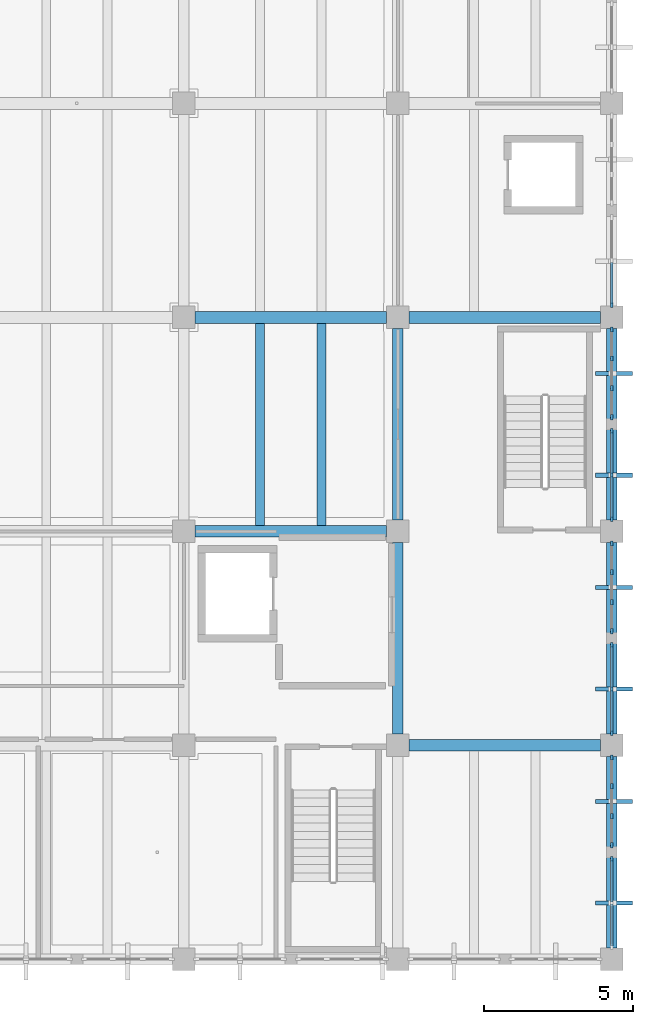
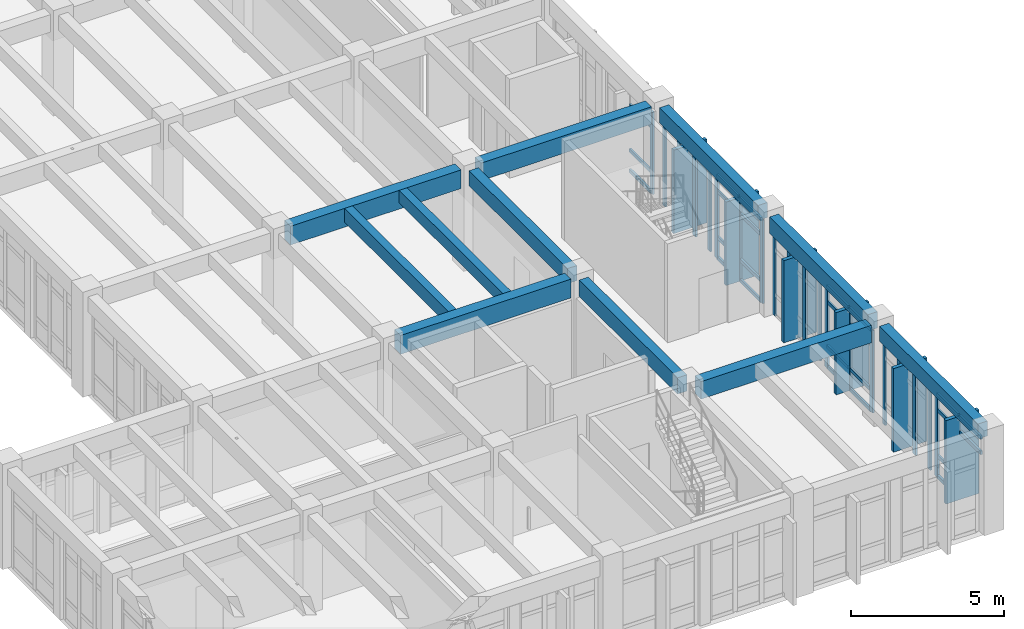
# One storey, part 56 of 136: 51 members, 11 beams, 7 elements without a shape of their own.
"""IFC4 building model written with IfcOpenShell, lengths in metres."""

from ifc_helpers import new_model, si_unit, direction, frame, origin, origin_2d, place, context, subcontext, project, spatial, rectangle, extrude, material, layer, layer_set, material_profile, profile_set, type_object, element, aggregate, save


model = new_model("IFC4")

# Units and contexts
model_context = context("Model", 3, precision=1e-05, world=origin(), true_north=direction((0.0, 1.0)))
body_context = subcontext(model_context, "Body", "Model", "MODEL_VIEW")
ifc_project = project(units=[si_unit("LENGTHUNIT", "METRE"), si_unit("AREAUNIT", "SQUARE_METRE"), si_unit("VOLUMEUNIT", "CUBIC_METRE"), si_unit("PLANEANGLEUNIT", "RADIAN"), si_unit("MASSUNIT", "GRAM", prefix="KILO")], contexts=[model_context])

# Site, building, storey
site_placement = place(None, origin())
site = spatial("IfcSite", under=ifc_project, at=site_placement, CompositionType="ELEMENT")
building_placement = place(site_placement, origin())
building = spatial("IfcBuilding", under=site, at=building_placement, Name="Koriwan Promenade Central Fire Station", CompositionType="ELEMENT")
storey_placement = place(building_placement, frame((0.0, 0.0, 5.39990234375)))
storey = spatial("IfcBuildingStorey", under=building, at=storey_placement, Name="L01", CompositionType="ELEMENT", Elevation=5.39990234375)

# Beams
ifc_material_1 = material(Name="Concrete C35/45", Category="concrete")
ifc_material_profile_1 = material_profile(ifc_material_1, rectangle(XDim=0.300048828125, YDim=0.5, at=origin_2d()), Name="RC-BM-300x500")
ifc_profile_set_1 = profile_set([ifc_material_profile_1], Name="Concrete C35/45")
beam_type_1 = type_object("IfcBeamType", Name="Beam_RC-BM-300x500", PredefinedType="JOIST", material=ifc_profile_set_1)
beam_1_placement = place(storey_placement, frame((163.031982421875, 14.60009765625, 3.7001953125), z_axis=(0.0, 1.0, 0.0), x_axis=(-1.0, 0.0, 0.0)))
element("IfcBeam", 1, at=beam_1_placement, inside=storey, type_object=beam_type_1, Name="V5 L01 secondary joist 713", PredefinedType="JOIST", context=body_context, shape_type="SweptSolid", body=[
    extrude(rectangle(XDim=0.300048828125, YDim=0.5, at=origin_2d()), origin(), (0.0, 0.0, 1.0), 6.7998046875),
])
ifc_material_profile_2 = material_profile(ifc_material_1, rectangle(XDim=0.300048828125, YDim=0.550048828125, at=origin_2d()), Name="RC-BM-300x550")
ifc_profile_set_2 = profile_set([ifc_material_profile_2], Name="Concrete C35/45")
beam_type_2 = type_object("IfcBeamType", Name="Beam_RC-BM-300x550", PredefinedType="JOIST", material=ifc_profile_set_2)
beam_2_placement = place(storey_placement, frame((160.968017578125, 14.60009765625, 3.675048828125), z_axis=(0.0, 1.0, 0.0), x_axis=(-1.0, 0.0, 0.0)))
element("IfcBeam", 2, at=beam_2_placement, inside=storey, type_object=beam_type_2, Name="V5 L01 secondary joist 712", PredefinedType="JOIST", context=body_context, shape_type="SweptSolid", body=[
    extrude(rectangle(XDim=0.300048828125, YDim=0.550048828125, at=origin_2d()), origin(), (0.0, 0.0, 1.0), 6.7998046875),
])
ifc_material_profile_3 = material_profile(ifc_material_1, rectangle(XDim=0.35009765625, YDim=0.60009765625, at=origin_2d()), Name="RC-BM-350x600")
ifc_profile_set_3 = profile_set([ifc_material_profile_3], Name="Concrete C35/45")
beam_type_3 = type_object("IfcBeamType", Name="Beam_RC-BM-350x600", PredefinedType="BEAM", material=ifc_profile_set_3)
beam_3_placement = place(storey_placement, frame((165.60009765625, 14.77490234375, 3.650146484375), z_axis=(0.0, 1.0, 0.0), x_axis=(-1.0, 0.0, 0.0)))
element("IfcBeam", 3, at=beam_3_placement, inside=storey, type_object=beam_type_3, Name="V5 L01 girder Y-682", PredefinedType="BEAM", context=body_context, shape_type="SweptSolid", body=[
    extrude(rectangle(XDim=0.35009765625, YDim=0.60009765625, at=origin_2d()), origin(), (0.0, 0.0, 1.0), 6.4501953125),
])
beam_4_placement = place(storey_placement, frame((172.800048828125, 0.375, 3.650146484375), z_axis=(0.0, 1.0, 0.0), x_axis=(-1.0, 0.0, 0.0)))
element("IfcBeam", 4, at=beam_4_placement, inside=storey, type_object=beam_type_3, Name="V5 L01 girder Y-690", PredefinedType="BEAM", context=body_context, shape_type="SweptSolid", body=[
    extrude(rectangle(XDim=0.35009765625, YDim=0.60009765625, at=origin_2d()), origin(), (0.0, 0.0, 1.0), 6.449951171875),
])
beam_5_placement = place(storey_placement, frame((172.800048828125, 14.77490234375, 3.650146484375), z_axis=(0.0, 1.0, 0.0), x_axis=(-1.0, 0.0, 0.0)))
element("IfcBeam", 5, at=beam_5_placement, inside=storey, type_object=beam_type_3, Name="V5 L01 girder Y-692", PredefinedType="BEAM", context=body_context, shape_type="SweptSolid", body=[
    extrude(rectangle(XDim=0.35009765625, YDim=0.60009765625, at=origin_2d()), origin(), (0.0, 0.0, 1.0), 6.4501953125),
])
ifc_material_profile_4 = material_profile(ifc_material_1, rectangle(XDim=0.35009765625, YDim=0.64990234375, at=origin_2d()), Name="RC-BM-350x650")
ifc_profile_set_4 = profile_set([ifc_material_profile_4], Name="Concrete C35/45")
beam_type_4 = type_object("IfcBeamType", Name="Beam_RC-BM-350x650", PredefinedType="BEAM", material=ifc_profile_set_4)
for number, where, z_axis, x_axis, name in (
    (6, (165.60009765625, 7.574951171875, 3.625), (0.0, 1.0, 0.0), (-1.0, 0.0, 0.0), "V5 L01 girder Y-681"),
    (7, (172.800048828125, 7.574951171875, 3.625), (0.0, 1.0, 0.0), (-1.0, 0.0, 0.0), "V5 L01 girder Y-691"),
):
    element("IfcBeam", number, at=place(storey_placement, frame(where, z_axis=z_axis, x_axis=x_axis)), inside=storey, type_object=beam_type_4, Name=name, PredefinedType="BEAM", context=body_context, shape_type="SweptSolid", body=[
        extrude(rectangle(XDim=0.35009765625, YDim=0.64990234375, at=origin_2d()), origin(), (0.0, 0.0, 1.0), 6.449951171875),
    ])
ifc_material_profile_5 = material_profile(ifc_material_1, rectangle(XDim=0.39990234375, YDim=0.699951171875, at=origin_2d()), Name="RC-BM-400x700")
ifc_profile_set_5 = profile_set([ifc_material_profile_5], Name="Concrete C35/45")
beam_type_5 = type_object("IfcBeamType", Name="Beam_RC-BM-400x700", PredefinedType="BEAM", material=ifc_profile_set_5)
for number, where, z_axis, x_axis, name in (
    (8, (165.97509765625, 7.199951171875, 3.60009765625), (1.0, 0.0, 0.0), (0.0, 1.0, 0.0), "V5 L01 girder X-630"),
    (9, (165.97509765625, 21.60009765625, 3.60009765625), (1.0, 0.0, 0.0), (0.0, 1.0, 0.0), "V5 L01 girder X-636"),
):
    element("IfcBeam", number, at=place(storey_placement, frame(where, z_axis=z_axis, x_axis=x_axis)), inside=storey, type_object=beam_type_5, Name=name, PredefinedType="BEAM", context=body_context, shape_type="SweptSolid", body=[
        extrude(rectangle(XDim=0.39990234375, YDim=0.699951171875, at=origin_2d()), origin(), (0.0, 0.0, 1.0), 6.449951171875),
    ])
ifc_material_profile_6 = material_profile(ifc_material_1, rectangle(XDim=0.39990234375, YDim=0.75, at=origin_2d()), Name="RC-BM-400x750")
ifc_profile_set_6 = profile_set([ifc_material_profile_6], Name="Concrete C35/45")
beam_type_6 = type_object("IfcBeamType", Name="Beam_RC-BM-400x750", PredefinedType="BEAM", material=ifc_profile_set_6)
for number, where, z_axis, x_axis, name in (
    (10, (158.77490234375, 14.39990234375, 3.5751953125), (1.0, 0.0, 0.0), (0.0, 1.0, 0.0), "V5 L01 girder X-633"),
    (11, (158.77490234375, 21.60009765625, 3.5751953125), (1.0, 0.0, 0.0), (0.0, 1.0, 0.0), "V5 L01 girder X-635"),
):
    element("IfcBeam", number, at=place(storey_placement, frame(where, z_axis=z_axis, x_axis=x_axis)), inside=storey, type_object=beam_type_6, Name=name, PredefinedType="BEAM", context=body_context, shape_type="SweptSolid", body=[
        extrude(rectangle(XDim=0.39990234375, YDim=0.75, at=origin_2d()), origin(), (0.0, 0.0, 1.0), 6.4501953125),
    ])

# Curtain wall, member
ifc_material_2 = material(Name="Aluminium EN AW-6063-T6 and low-E glazing", Category="aluminium")
ifc_layer_1 = layer(ifc_material_2, 0.159912109375, Name="Aluminium EN AW-6063-T6 and low-E glazing")
ifc_layer_set_1 = layer_set([ifc_layer_1], Name="Aluminium EN AW-6063-T6 and low-E glazing")
curtain_wall_type_1 = type_object("IfcCurtainWallType", Name="CurtainWall_07_302x329", PredefinedType="USERDEFINED", material=ifc_layer_set_1)
curtain_wall_1_placement = place(storey_placement, origin())
curtain_wall_1 = element("IfcCurtainWall", 12, at=curtain_wall_1_placement, inside=storey, type_object=curtain_wall_type_1, Name="V5 L01 unitised curtain wall 202", ObjectType="UNITISED CURTAIN WALL", PredefinedType="USERDEFINED")
ifc_material_3 = material(Name="Aluminium EN AW-6063-T6", Category="aluminium")
ifc_material_profile_7 = material_profile(ifc_material_3, rectangle(XDim=0.074951171875, YDim=0.179931640625, at=origin_2d()), Name="ALU-MUL-75x180")
ifc_profile_set_7 = profile_set([ifc_material_profile_7], Name="Aluminium EN AW-6063-T6")
member_type_1 = type_object("IfcMemberType", Name="CWMullion_ALU-MUL-75x180", PredefinedType="MULLION", material=ifc_profile_set_7)
member_1_placement = place(storey_placement, frame((172.800048828125, 22.012451171875, 0.0), z_axis=(0.0, 0.0, 1.0), x_axis=(1.0, 0.0, 0.0)))
member_1 = element("IfcMember", 13, at=member_1_placement, type_object=member_type_1, Name="CW-07 mullion 3", PredefinedType="MULLION", context=body_context, shape_type="SweptSolid", body=[
    extrude(rectangle(XDim=0.074951171875, YDim=0.179931640625, at=origin_2d()), origin(), (0.0, 0.0, 1.0), 3.2900390625),
])

# Curtain wall, members
ifc_layer_2 = layer(ifc_material_2, 0.159912109375, Name="Aluminium EN AW-6063-T6 and low-E glazing")
ifc_layer_set_2 = layer_set([ifc_layer_2], Name="Aluminium EN AW-6063-T6 and low-E glazing")
curtain_wall_type_2 = type_object("IfcCurtainWallType", Name="CurtainWall_67_303x334", PredefinedType="USERDEFINED", material=ifc_layer_set_2)
curtain_wall_2_placement = place(storey_placement, origin())
curtain_wall_2 = element("IfcCurtainWall", 14, at=curtain_wall_2_placement, inside=storey, type_object=curtain_wall_type_2, Name="V5 L01 unitised curtain wall 203", ObjectType="UNITISED CURTAIN WALL", PredefinedType="USERDEFINED")
member_2_placement = place(storey_placement, frame((172.800048828125, 21.1875, 0.0), z_axis=(0.0, 0.0, 1.0), x_axis=(1.0, 0.0, 0.0)))
member_2 = element("IfcMember", 15, at=member_2_placement, type_object=member_type_1, Name="CW-67 mullion 1", PredefinedType="MULLION", context=body_context, shape_type="SweptSolid", body=[
    extrude(rectangle(XDim=0.074951171875, YDim=0.179931640625, at=origin_2d()), origin(), (0.0, 0.0, 1.0), 3.340087890625),
])
member_3_placement = place(storey_placement, frame((172.800048828125, 20.216552734375, 0.0), z_axis=(0.0, 0.0, 1.0), x_axis=(1.0, 0.0, 0.0)))
member_3 = element("IfcMember", 16, at=member_3_placement, type_object=member_type_1, Name="CW-67 mullion 2", PredefinedType="MULLION", context=body_context, shape_type="SweptSolid", body=[
    extrude(rectangle(XDim=0.074951171875, YDim=0.179931640625, at=origin_2d()), origin(), (0.0, 0.0, 1.0), 3.340087890625),
])
member_4_placement = place(storey_placement, frame((172.800048828125, 19.208251953125, 0.0), z_axis=(0.0, 0.0, 1.0), x_axis=(1.0, 0.0, 0.0)))
member_4 = element("IfcMember", 17, at=member_4_placement, type_object=member_type_1, Name="CW-67 mullion 3", PredefinedType="MULLION", context=body_context, shape_type="SweptSolid", body=[
    extrude(rectangle(XDim=0.074951171875, YDim=0.179931640625, at=origin_2d()), origin(), (0.0, 0.0, 1.0), 3.340087890625),
])
member_5_placement = place(storey_placement, frame((172.800048828125, 18.237548828125, 0.0), z_axis=(0.0, 0.0, 1.0), x_axis=(1.0, 0.0, 0.0)))
member_5 = element("IfcMember", 18, at=member_5_placement, type_object=member_type_1, Name="CW-67 mullion 4", PredefinedType="MULLION", context=body_context, shape_type="SweptSolid", body=[
    extrude(rectangle(XDim=0.074951171875, YDim=0.179931640625, at=origin_2d()), origin(), (0.0, 0.0, 1.0), 3.340087890625),
])
aggregate(curtain_wall_2, [member_2, member_3, member_4, member_5])

ifc_layer_3 = layer(ifc_material_2, 0.159912109375, Name="Aluminium EN AW-6063-T6 and low-E glazing")
ifc_layer_set_3 = layer_set([ifc_layer_3], Name="Aluminium EN AW-6063-T6 and low-E glazing")
curtain_wall_type_3 = type_object("IfcCurtainWallType", Name="CurtainWall_64_303x334", PredefinedType="USERDEFINED", material=ifc_layer_set_3)
curtain_wall_3_placement = place(storey_placement, origin())
curtain_wall_3 = element("IfcCurtainWall", 19, at=curtain_wall_3_placement, inside=storey, type_object=curtain_wall_type_3, Name="V5 L01 unitised curtain wall 204", ObjectType="UNITISED CURTAIN WALL", PredefinedType="USERDEFINED")
member_6_placement = place(storey_placement, frame((172.800048828125, 17.762451171875, 0.0), z_axis=(0.0, 0.0, 1.0), x_axis=(1.0, 0.0, 0.0)))
member_6 = element("IfcMember", 20, at=member_6_placement, type_object=member_type_1, Name="CW-64 mullion 1", PredefinedType="MULLION", context=body_context, shape_type="SweptSolid", body=[
    extrude(rectangle(XDim=0.074951171875, YDim=0.179931640625, at=origin_2d()), origin(), (0.0, 0.0, 1.0), 3.340087890625),
])
member_7_placement = place(storey_placement, frame((172.800048828125, 16.28759765625, 0.0), z_axis=(0.0, 0.0, 1.0), x_axis=(1.0, 0.0, 0.0)))
member_7 = element("IfcMember", 21, at=member_7_placement, type_object=member_type_1, Name="CW-64 mullion 2", PredefinedType="MULLION", context=body_context, shape_type="SweptSolid", body=[
    extrude(rectangle(XDim=0.074951171875, YDim=0.179931640625, at=origin_2d()), origin(), (0.0, 0.0, 1.0), 3.340087890625),
])
member_8_placement = place(storey_placement, frame((172.800048828125, 14.8125, 0.0), z_axis=(0.0, 0.0, 1.0), x_axis=(1.0, 0.0, 0.0)))
member_8 = element("IfcMember", 22, at=member_8_placement, type_object=member_type_1, Name="CW-64 mullion 3", PredefinedType="MULLION", context=body_context, shape_type="SweptSolid", body=[
    extrude(rectangle(XDim=0.074951171875, YDim=0.179931640625, at=origin_2d()), origin(), (0.0, 0.0, 1.0), 3.340087890625),
])

ifc_layer_4 = layer(ifc_material_2, 0.159912109375, Name="Aluminium EN AW-6063-T6 and low-E glazing")
ifc_layer_set_4 = layer_set([ifc_layer_4], Name="Aluminium EN AW-6063-T6 and low-E glazing")
curtain_wall_type_4 = type_object("IfcCurtainWallType", Name="CurtainWall_61_303x329", PredefinedType="USERDEFINED", material=ifc_layer_set_4)
curtain_wall_4_placement = place(storey_placement, origin())
curtain_wall_4 = element("IfcCurtainWall", 23, at=curtain_wall_4_placement, inside=storey, type_object=curtain_wall_type_4, Name="V5 L01 unitised curtain wall 205", ObjectType="UNITISED CURTAIN WALL", PredefinedType="USERDEFINED")
member_9_placement = place(storey_placement, frame((172.800048828125, 13.987548828125, 0.0), z_axis=(0.0, 0.0, 1.0), x_axis=(1.0, 0.0, 0.0)))
member_9 = element("IfcMember", 24, at=member_9_placement, type_object=member_type_1, Name="CW-61 mullion 1", PredefinedType="MULLION", context=body_context, shape_type="SweptSolid", body=[
    extrude(rectangle(XDim=0.074951171875, YDim=0.179931640625, at=origin_2d()), origin(), (0.0, 0.0, 1.0), 3.2900390625),
])
member_10_placement = place(storey_placement, frame((172.800048828125, 13.0166015625, 0.0), z_axis=(0.0, 0.0, 1.0), x_axis=(1.0, 0.0, 0.0)))
member_10 = element("IfcMember", 25, at=member_10_placement, type_object=member_type_1, Name="CW-61 mullion 2", PredefinedType="MULLION", context=body_context, shape_type="SweptSolid", body=[
    extrude(rectangle(XDim=0.074951171875, YDim=0.179931640625, at=origin_2d()), origin(), (0.0, 0.0, 1.0), 3.2900390625),
])
member_11_placement = place(storey_placement, frame((172.800048828125, 12.00830078125, 0.0), z_axis=(0.0, 0.0, 1.0), x_axis=(1.0, 0.0, 0.0)))
member_11 = element("IfcMember", 26, at=member_11_placement, type_object=member_type_1, Name="CW-61 mullion 3", PredefinedType="MULLION", context=body_context, shape_type="SweptSolid", body=[
    extrude(rectangle(XDim=0.074951171875, YDim=0.179931640625, at=origin_2d()), origin(), (0.0, 0.0, 1.0), 3.2900390625),
])
member_12_placement = place(storey_placement, frame((172.800048828125, 11.03759765625, 0.0), z_axis=(0.0, 0.0, 1.0), x_axis=(1.0, 0.0, 0.0)))
member_12 = element("IfcMember", 27, at=member_12_placement, type_object=member_type_1, Name="CW-61 mullion 4", PredefinedType="MULLION", context=body_context, shape_type="SweptSolid", body=[
    extrude(rectangle(XDim=0.074951171875, YDim=0.179931640625, at=origin_2d()), origin(), (0.0, 0.0, 1.0), 3.2900390625),
])
aggregate(curtain_wall_4, [member_9, member_10, member_11, member_12])

curtain_wall_5_placement = place(storey_placement, origin())
curtain_wall_5 = element("IfcCurtainWall", 28, at=curtain_wall_5_placement, inside=storey, type_object=curtain_wall_type_1, Name="V5 L01 unitised curtain wall 206", ObjectType="UNITISED CURTAIN WALL", PredefinedType="USERDEFINED")
member_13_placement = place(storey_placement, frame((172.800048828125, 10.5625, 0.0), z_axis=(0.0, 0.0, 1.0), x_axis=(1.0, 0.0, 0.0)))
member_13 = element("IfcMember", 29, at=member_13_placement, type_object=member_type_1, Name="CW-07 mullion 1", PredefinedType="MULLION", context=body_context, shape_type="SweptSolid", body=[
    extrude(rectangle(XDim=0.074951171875, YDim=0.179931640625, at=origin_2d()), origin(), (0.0, 0.0, 1.0), 3.2900390625),
])
member_14_placement = place(storey_placement, frame((172.800048828125, 9.08740234375, 0.0), z_axis=(0.0, 0.0, 1.0), x_axis=(1.0, 0.0, 0.0)))
member_14 = element("IfcMember", 30, at=member_14_placement, type_object=member_type_1, Name="CW-07 mullion 2", PredefinedType="MULLION", context=body_context, shape_type="SweptSolid", body=[
    extrude(rectangle(XDim=0.074951171875, YDim=0.179931640625, at=origin_2d()), origin(), (0.0, 0.0, 1.0), 3.2900390625),
])
member_15_placement = place(storey_placement, frame((172.800048828125, 7.612548828125, 0.0), z_axis=(0.0, 0.0, 1.0), x_axis=(1.0, 0.0, 0.0)))
member_15 = element("IfcMember", 31, at=member_15_placement, type_object=member_type_1, Name="CW-07 mullion 3", PredefinedType="MULLION", context=body_context, shape_type="SweptSolid", body=[
    extrude(rectangle(XDim=0.074951171875, YDim=0.179931640625, at=origin_2d()), origin(), (0.0, 0.0, 1.0), 3.2900390625),
])

curtain_wall_6_placement = place(storey_placement, origin())
curtain_wall_6 = element("IfcCurtainWall", 32, at=curtain_wall_6_placement, inside=storey, type_object=curtain_wall_type_2, Name="V5 L01 unitised curtain wall 207", ObjectType="UNITISED CURTAIN WALL", PredefinedType="USERDEFINED")
member_16_placement = place(storey_placement, frame((172.800048828125, 6.78759765625, 0.0), z_axis=(0.0, 0.0, 1.0), x_axis=(1.0, 0.0, 0.0)))
member_16 = element("IfcMember", 33, at=member_16_placement, type_object=member_type_1, Name="CW-67 mullion 1", PredefinedType="MULLION", context=body_context, shape_type="SweptSolid", body=[
    extrude(rectangle(XDim=0.074951171875, YDim=0.179931640625, at=origin_2d()), origin(), (0.0, 0.0, 1.0), 3.340087890625),
])
member_17_placement = place(storey_placement, frame((172.800048828125, 5.816650390625, 0.0), z_axis=(0.0, 0.0, 1.0), x_axis=(1.0, 0.0, 0.0)))
member_17 = element("IfcMember", 34, at=member_17_placement, type_object=member_type_1, Name="CW-67 mullion 2", PredefinedType="MULLION", context=body_context, shape_type="SweptSolid", body=[
    extrude(rectangle(XDim=0.074951171875, YDim=0.179931640625, at=origin_2d()), origin(), (0.0, 0.0, 1.0), 3.340087890625),
])
member_18_placement = place(storey_placement, frame((172.800048828125, 4.808349609375, 0.0), z_axis=(0.0, 0.0, 1.0), x_axis=(1.0, 0.0, 0.0)))
member_18 = element("IfcMember", 35, at=member_18_placement, type_object=member_type_1, Name="CW-67 mullion 3", PredefinedType="MULLION", context=body_context, shape_type="SweptSolid", body=[
    extrude(rectangle(XDim=0.074951171875, YDim=0.179931640625, at=origin_2d()), origin(), (0.0, 0.0, 1.0), 3.340087890625),
])
member_19_placement = place(storey_placement, frame((172.800048828125, 3.83740234375, 0.0), z_axis=(0.0, 0.0, 1.0), x_axis=(1.0, 0.0, 0.0)))
member_19 = element("IfcMember", 36, at=member_19_placement, type_object=member_type_1, Name="CW-67 mullion 4", PredefinedType="MULLION", context=body_context, shape_type="SweptSolid", body=[
    extrude(rectangle(XDim=0.074951171875, YDim=0.179931640625, at=origin_2d()), origin(), (0.0, 0.0, 1.0), 3.340087890625),
])
aggregate(curtain_wall_6, [member_16, member_17, member_18, member_19])

# Curtain wall, member
ifc_layer_5 = layer(ifc_material_2, 0.159912109375, Name="Aluminium EN AW-6063-T6 and low-E glazing")
ifc_layer_set_5 = layer_set([ifc_layer_5], Name="Aluminium EN AW-6063-T6 and low-E glazing")
curtain_wall_type_5 = type_object("IfcCurtainWallType", Name="CurtainWall_68_302x334", PredefinedType="USERDEFINED", material=ifc_layer_set_5)
curtain_wall_7_placement = place(storey_placement, origin())
curtain_wall_7 = element("IfcCurtainWall", 37, at=curtain_wall_7_placement, inside=storey, type_object=curtain_wall_type_5, Name="V5 L01 unitised curtain wall 208", ObjectType="UNITISED CURTAIN WALL", PredefinedType="USERDEFINED")
member_20_placement = place(storey_placement, frame((172.800048828125, 3.362548828125, 0.0), z_axis=(0.0, 0.0, 1.0), x_axis=(1.0, 0.0, 0.0)))
member_20 = element("IfcMember", 38, at=member_20_placement, type_object=member_type_1, Name="CW-68 mullion 1", PredefinedType="MULLION", context=body_context, shape_type="SweptSolid", body=[
    extrude(rectangle(XDim=0.074951171875, YDim=0.179931640625, at=origin_2d()), origin(), (0.0, 0.0, 1.0), 3.340087890625),
])

# Member
ifc_material_profile_8 = material_profile(ifc_material_3, rectangle(XDim=0.074951171875, YDim=0.139892578125, at=origin_2d()), Name="ALU-TRN-75x140")
ifc_profile_set_8 = profile_set([ifc_material_profile_8], Name="Aluminium EN AW-6063-T6")
member_type_2 = type_object("IfcMemberType", Name="CWTransom_ALU-TRN-75x140", PredefinedType="USERDEFINED", material=ifc_profile_set_8)
member_21_placement = place(storey_placement, frame((172.800048828125, 23.449951171875, 0.03759765625), z_axis=(0.0, -1.0, 0.0), x_axis=(1.0, 0.0, 0.0)))
member_21 = element("IfcMember", 39, at=member_21_placement, type_object=member_type_2, Name="CW-07 transom 2.1", ObjectType="TRANSOM", PredefinedType="USERDEFINED", context=body_context, shape_type="SweptSolid", body=[
    extrude(rectangle(XDim=0.074951171875, YDim=0.139892578125, at=origin_2d()), origin(), (0.0, 0.0, 1.0), 1.39990234375),
])

member_22_placement = place(storey_placement, frame((172.800048828125, 23.449951171875, 0.85009765625), z_axis=(0.0, -1.0, 0.0), x_axis=(1.0, 0.0, 0.0)))
member_22 = element("IfcMember", 40, at=member_22_placement, type_object=member_type_2, Name="CW-07 transom 2.2", ObjectType="TRANSOM", PredefinedType="USERDEFINED", context=body_context, shape_type="SweptSolid", body=[
    extrude(rectangle(XDim=0.074951171875, YDim=0.139892578125, at=origin_2d()), origin(), (0.0, 0.0, 1.0), 1.39990234375),
])

member_23_placement = place(storey_placement, frame((172.800048828125, 23.449951171875, 2.64013671875), z_axis=(0.0, -1.0, 0.0), x_axis=(1.0, 0.0, 0.0)))
member_23 = element("IfcMember", 41, at=member_23_placement, type_object=member_type_2, Name="CW-07 transom 2.3", ObjectType="TRANSOM", PredefinedType="USERDEFINED", context=body_context, shape_type="SweptSolid", body=[
    extrude(rectangle(XDim=0.074951171875, YDim=0.139892578125, at=origin_2d()), origin(), (0.0, 0.0, 1.0), 1.39990234375),
])

aggregate(curtain_wall_1, [member_1, member_21, member_22, member_23])

member_24_placement = place(storey_placement, frame((172.800048828125, 17.72509765625, 0.03759765625), z_axis=(0.0, -1.0, 0.0), x_axis=(1.0, 0.0, 0.0)))
member_24 = element("IfcMember", 42, at=member_24_placement, type_object=member_type_2, Name="CW-64 transom 1.1", ObjectType="TRANSOM", PredefinedType="USERDEFINED", context=body_context, shape_type="SweptSolid", body=[
    extrude(rectangle(XDim=0.074951171875, YDim=0.139892578125, at=origin_2d()), origin(), (0.0, 0.0, 1.0), 1.400146484375),
])

member_25_placement = place(storey_placement, frame((172.800048828125, 17.72509765625, 0.85009765625), z_axis=(0.0, -1.0, 0.0), x_axis=(1.0, 0.0, 0.0)))
member_25 = element("IfcMember", 43, at=member_25_placement, type_object=member_type_2, Name="CW-64 transom 1.2", ObjectType="TRANSOM", PredefinedType="USERDEFINED", context=body_context, shape_type="SweptSolid", body=[
    extrude(rectangle(XDim=0.074951171875, YDim=0.139892578125, at=origin_2d()), origin(), (0.0, 0.0, 1.0), 1.400146484375),
])

member_26_placement = place(storey_placement, frame((172.800048828125, 17.72509765625, 2.690185546875), z_axis=(0.0, -1.0, 0.0), x_axis=(1.0, 0.0, 0.0)))
member_26 = element("IfcMember", 44, at=member_26_placement, type_object=member_type_2, Name="CW-64 transom 1.3", ObjectType="TRANSOM", PredefinedType="USERDEFINED", context=body_context, shape_type="SweptSolid", body=[
    extrude(rectangle(XDim=0.074951171875, YDim=0.139892578125, at=origin_2d()), origin(), (0.0, 0.0, 1.0), 1.400146484375),
])

member_27_placement = place(storey_placement, frame((172.800048828125, 17.72509765625, 3.302490234375), z_axis=(0.0, -1.0, 0.0), x_axis=(1.0, 0.0, 0.0)))
member_27 = element("IfcMember", 45, at=member_27_placement, type_object=member_type_2, Name="CW-64 transom 1.4", ObjectType="TRANSOM", PredefinedType="USERDEFINED", context=body_context, shape_type="SweptSolid", body=[
    extrude(rectangle(XDim=0.074951171875, YDim=0.139892578125, at=origin_2d()), origin(), (0.0, 0.0, 1.0), 1.400146484375),
])

member_28_placement = place(storey_placement, frame((172.800048828125, 16.25, 0.03759765625), z_axis=(0.0, -1.0, 0.0), x_axis=(1.0, 0.0, 0.0)))
member_28 = element("IfcMember", 46, at=member_28_placement, type_object=member_type_2, Name="CW-64 transom 2.1", ObjectType="TRANSOM", PredefinedType="USERDEFINED", context=body_context, shape_type="SweptSolid", body=[
    extrude(rectangle(XDim=0.074951171875, YDim=0.139892578125, at=origin_2d()), origin(), (0.0, 0.0, 1.0), 1.39990234375),
])

member_29_placement = place(storey_placement, frame((172.800048828125, 16.25, 0.85009765625), z_axis=(0.0, -1.0, 0.0), x_axis=(1.0, 0.0, 0.0)))
member_29 = element("IfcMember", 47, at=member_29_placement, type_object=member_type_2, Name="CW-64 transom 2.2", ObjectType="TRANSOM", PredefinedType="USERDEFINED", context=body_context, shape_type="SweptSolid", body=[
    extrude(rectangle(XDim=0.074951171875, YDim=0.139892578125, at=origin_2d()), origin(), (0.0, 0.0, 1.0), 1.39990234375),
])

member_30_placement = place(storey_placement, frame((172.800048828125, 16.25, 2.690185546875), z_axis=(0.0, -1.0, 0.0), x_axis=(1.0, 0.0, 0.0)))
member_30 = element("IfcMember", 48, at=member_30_placement, type_object=member_type_2, Name="CW-64 transom 2.3", ObjectType="TRANSOM", PredefinedType="USERDEFINED", context=body_context, shape_type="SweptSolid", body=[
    extrude(rectangle(XDim=0.074951171875, YDim=0.139892578125, at=origin_2d()), origin(), (0.0, 0.0, 1.0), 1.39990234375),
])

member_31_placement = place(storey_placement, frame((172.800048828125, 16.25, 3.302490234375), z_axis=(0.0, -1.0, 0.0), x_axis=(1.0, 0.0, 0.0)))
member_31 = element("IfcMember", 49, at=member_31_placement, type_object=member_type_2, Name="CW-64 transom 2.4", ObjectType="TRANSOM", PredefinedType="USERDEFINED", context=body_context, shape_type="SweptSolid", body=[
    extrude(rectangle(XDim=0.074951171875, YDim=0.139892578125, at=origin_2d()), origin(), (0.0, 0.0, 1.0), 1.39990234375),
])

aggregate(curtain_wall_3, [member_6, member_7, member_8, member_24, member_25, member_26, member_27, member_28, member_29, member_30, member_31])

member_32_placement = place(storey_placement, frame((172.800048828125, 10.52490234375, 0.03759765625), z_axis=(0.0, -1.0, 0.0), x_axis=(1.0, 0.0, 0.0)))
member_32 = element("IfcMember", 50, at=member_32_placement, type_object=member_type_2, Name="CW-07 transom 1.1", ObjectType="TRANSOM", PredefinedType="USERDEFINED", context=body_context, shape_type="SweptSolid", body=[
    extrude(rectangle(XDim=0.074951171875, YDim=0.139892578125, at=origin_2d()), origin(), (0.0, 0.0, 1.0), 1.39990234375),
])

member_33_placement = place(storey_placement, frame((172.800048828125, 10.52490234375, 0.85009765625), z_axis=(0.0, -1.0, 0.0), x_axis=(1.0, 0.0, 0.0)))
member_33 = element("IfcMember", 51, at=member_33_placement, type_object=member_type_2, Name="CW-07 transom 1.2", ObjectType="TRANSOM", PredefinedType="USERDEFINED", context=body_context, shape_type="SweptSolid", body=[
    extrude(rectangle(XDim=0.074951171875, YDim=0.139892578125, at=origin_2d()), origin(), (0.0, 0.0, 1.0), 1.39990234375),
])

member_34_placement = place(storey_placement, frame((172.800048828125, 10.52490234375, 2.64013671875), z_axis=(0.0, -1.0, 0.0), x_axis=(1.0, 0.0, 0.0)))
member_34 = element("IfcMember", 52, at=member_34_placement, type_object=member_type_2, Name="CW-07 transom 1.3", ObjectType="TRANSOM", PredefinedType="USERDEFINED", context=body_context, shape_type="SweptSolid", body=[
    extrude(rectangle(XDim=0.074951171875, YDim=0.139892578125, at=origin_2d()), origin(), (0.0, 0.0, 1.0), 1.39990234375),
])

member_35_placement = place(storey_placement, frame((172.800048828125, 10.52490234375, 3.252685546875), z_axis=(0.0, -1.0, 0.0), x_axis=(1.0, 0.0, 0.0)))
member_35 = element("IfcMember", 53, at=member_35_placement, type_object=member_type_2, Name="CW-07 transom 1.4", ObjectType="TRANSOM", PredefinedType="USERDEFINED", context=body_context, shape_type="SweptSolid", body=[
    extrude(rectangle(XDim=0.074951171875, YDim=0.139892578125, at=origin_2d()), origin(), (0.0, 0.0, 1.0), 1.39990234375),
])

member_36_placement = place(storey_placement, frame((172.800048828125, 9.050048828125, 0.03759765625), z_axis=(0.0, -1.0, 0.0), x_axis=(1.0, 0.0, 0.0)))
member_36 = element("IfcMember", 54, at=member_36_placement, type_object=member_type_2, Name="CW-07 transom 2.1", ObjectType="TRANSOM", PredefinedType="USERDEFINED", context=body_context, shape_type="SweptSolid", body=[
    extrude(rectangle(XDim=0.074951171875, YDim=0.139892578125, at=origin_2d()), origin(), (0.0, 0.0, 1.0), 1.400146484375),
])

member_37_placement = place(storey_placement, frame((172.800048828125, 9.050048828125, 0.85009765625), z_axis=(0.0, -1.0, 0.0), x_axis=(1.0, 0.0, 0.0)))
member_37 = element("IfcMember", 55, at=member_37_placement, type_object=member_type_2, Name="CW-07 transom 2.2", ObjectType="TRANSOM", PredefinedType="USERDEFINED", context=body_context, shape_type="SweptSolid", body=[
    extrude(rectangle(XDim=0.074951171875, YDim=0.139892578125, at=origin_2d()), origin(), (0.0, 0.0, 1.0), 1.400146484375),
])

member_38_placement = place(storey_placement, frame((172.800048828125, 9.050048828125, 2.64013671875), z_axis=(0.0, -1.0, 0.0), x_axis=(1.0, 0.0, 0.0)))
member_38 = element("IfcMember", 56, at=member_38_placement, type_object=member_type_2, Name="CW-07 transom 2.3", ObjectType="TRANSOM", PredefinedType="USERDEFINED", context=body_context, shape_type="SweptSolid", body=[
    extrude(rectangle(XDim=0.074951171875, YDim=0.139892578125, at=origin_2d()), origin(), (0.0, 0.0, 1.0), 1.400146484375),
])

member_39_placement = place(storey_placement, frame((172.800048828125, 9.050048828125, 3.252685546875), z_axis=(0.0, -1.0, 0.0), x_axis=(1.0, 0.0, 0.0)))
member_39 = element("IfcMember", 57, at=member_39_placement, type_object=member_type_2, Name="CW-07 transom 2.4", ObjectType="TRANSOM", PredefinedType="USERDEFINED", context=body_context, shape_type="SweptSolid", body=[
    extrude(rectangle(XDim=0.074951171875, YDim=0.139892578125, at=origin_2d()), origin(), (0.0, 0.0, 1.0), 1.400146484375),
])

aggregate(curtain_wall_5, [member_13, member_14, member_15, member_32, member_33, member_34, member_35, member_36, member_37, member_38, member_39])

member_40_placement = place(storey_placement, frame((172.800048828125, 3.324951171875, 0.03759765625), z_axis=(0.0, -1.0, 0.0), x_axis=(1.0, 0.0, 0.0)))
member_40 = element("IfcMember", 58, at=member_40_placement, type_object=member_type_2, Name="CW-68 transom 1.1", ObjectType="TRANSOM", PredefinedType="USERDEFINED", context=body_context, shape_type="SweptSolid", body=[
    extrude(rectangle(XDim=0.074951171875, YDim=0.139892578125, at=origin_2d()), origin(), (0.0, 0.0, 1.0), 1.39990234375),
])

member_41_placement = place(storey_placement, frame((172.800048828125, 3.324951171875, 0.85009765625), z_axis=(0.0, -1.0, 0.0), x_axis=(1.0, 0.0, 0.0)))
member_41 = element("IfcMember", 59, at=member_41_placement, type_object=member_type_2, Name="CW-68 transom 1.2", ObjectType="TRANSOM", PredefinedType="USERDEFINED", context=body_context, shape_type="SweptSolid", body=[
    extrude(rectangle(XDim=0.074951171875, YDim=0.139892578125, at=origin_2d()), origin(), (0.0, 0.0, 1.0), 1.39990234375),
])

member_42_placement = place(storey_placement, frame((172.800048828125, 3.324951171875, 2.690185546875), z_axis=(0.0, -1.0, 0.0), x_axis=(1.0, 0.0, 0.0)))
member_42 = element("IfcMember", 60, at=member_42_placement, type_object=member_type_2, Name="CW-68 transom 1.3", ObjectType="TRANSOM", PredefinedType="USERDEFINED", context=body_context, shape_type="SweptSolid", body=[
    extrude(rectangle(XDim=0.074951171875, YDim=0.139892578125, at=origin_2d()), origin(), (0.0, 0.0, 1.0), 1.39990234375),
])

member_43_placement = place(storey_placement, frame((172.800048828125, 3.324951171875, 3.302490234375), z_axis=(0.0, -1.0, 0.0), x_axis=(1.0, 0.0, 0.0)))
member_43 = element("IfcMember", 61, at=member_43_placement, type_object=member_type_2, Name="CW-68 transom 1.4", ObjectType="TRANSOM", PredefinedType="USERDEFINED", context=body_context, shape_type="SweptSolid", body=[
    extrude(rectangle(XDim=0.074951171875, YDim=0.139892578125, at=origin_2d()), origin(), (0.0, 0.0, 1.0), 1.39990234375),
])

member_44_placement = place(storey_placement, frame((172.800048828125, 1.85009765625, 2.690185546875), z_axis=(0.0, -1.0, 0.0), x_axis=(1.0, 0.0, 0.0)))
member_44 = element("IfcMember", 62, at=member_44_placement, type_object=member_type_2, Name="CW-68 transom 2.3", ObjectType="TRANSOM", PredefinedType="USERDEFINED", context=body_context, shape_type="SweptSolid", body=[
    extrude(rectangle(XDim=0.074951171875, YDim=0.139892578125, at=origin_2d()), origin(), (0.0, 0.0, 1.0), 1.400146484375),
])

member_45_placement = place(storey_placement, frame((172.800048828125, 1.85009765625, 3.302490234375), z_axis=(0.0, -1.0, 0.0), x_axis=(1.0, 0.0, 0.0)))
member_45 = element("IfcMember", 63, at=member_45_placement, type_object=member_type_2, Name="CW-68 transom 2.4", ObjectType="TRANSOM", PredefinedType="USERDEFINED", context=body_context, shape_type="SweptSolid", body=[
    extrude(rectangle(XDim=0.074951171875, YDim=0.139892578125, at=origin_2d()), origin(), (0.0, 0.0, 1.0), 1.400146484375),
])

aggregate(curtain_wall_7, [member_20, member_40, member_41, member_42, member_43, member_44, member_45])

# Members
ifc_material_4 = material(Name="Aluminium EN AW-6063-T6 terracotta finish", Category="masonry")
ifc_material_profile_9 = material_profile(ifc_material_4, rectangle(XDim=0.139892578125, YDim=1.25, at=origin_2d()), Name="FIN-TRC-140x1250")
ifc_profile_set_9 = profile_set([ifc_material_profile_9], Name="Aluminium EN AW-6063-T6 terracotta finish")
member_type_3 = type_object("IfcMemberType", Name="SolarFin_FIN-TRC-140x1250", PredefinedType="USERDEFINED", material=ifc_profile_set_9)
for number, where, z_axis, x_axis, name in (
    (64, (172.875, 19.71240234375, 0.0), (0.0, 0.0, 1.0), (0.0, -1.0, 0.0), "V5 L01 terracotta solar fin 053"),
    (65, (172.875, 16.28759765625, 0.0), (0.0, 0.0, 1.0), (0.0, -1.0, 0.0), "V5 L01 terracotta solar fin 054"),
):
    element("IfcMember", number, at=place(storey_placement, frame(where, z_axis=z_axis, x_axis=x_axis)), inside=storey, type_object=member_type_3, Name=name, ObjectType="SOLAR FIN", PredefinedType="USERDEFINED", context=body_context, shape_type="SweptSolid", body=[
        extrude(rectangle(XDim=0.139892578125, YDim=1.25, at=origin_2d()), origin(), (0.0, 0.0, 1.0), 3.340087890625),
    ])
for number, where, z_axis, x_axis, name in (
    (66, (172.875, 12.512451171875, 0.0), (0.0, 0.0, 1.0), (0.0, -1.0, 0.0), "V5 L01 terracotta solar fin 055"),
    (67, (172.875, 9.08740234375, 0.0), (0.0, 0.0, 1.0), (0.0, -1.0, 0.0), "V5 L01 terracotta solar fin 056"),
):
    element("IfcMember", number, at=place(storey_placement, frame(where, z_axis=z_axis, x_axis=x_axis)), inside=storey, type_object=member_type_3, Name=name, ObjectType="SOLAR FIN", PredefinedType="USERDEFINED", context=body_context, shape_type="SweptSolid", body=[
        extrude(rectangle(XDim=0.139892578125, YDim=1.25, at=origin_2d()), origin(), (0.0, 0.0, 1.0), 3.2900390625),
    ])
for number, where, z_axis, x_axis, name in (
    (68, (172.875, 5.3125, 0.0), (0.0, 0.0, 1.0), (0.0, -1.0, 0.0), "V5 L01 terracotta solar fin 057"),
    (69, (172.875, 1.887451171875, 0.0), (0.0, 0.0, 1.0), (0.0, -1.0, 0.0), "V5 L01 terracotta solar fin 058"),
):
    element("IfcMember", number, at=place(storey_placement, frame(where, z_axis=z_axis, x_axis=x_axis)), inside=storey, type_object=member_type_3, Name=name, ObjectType="SOLAR FIN", PredefinedType="USERDEFINED", context=body_context, shape_type="SweptSolid", body=[
        extrude(rectangle(XDim=0.139892578125, YDim=1.25, at=origin_2d()), origin(), (0.0, 0.0, 1.0), 3.340087890625),
    ])

save(model, "model.ifc")
